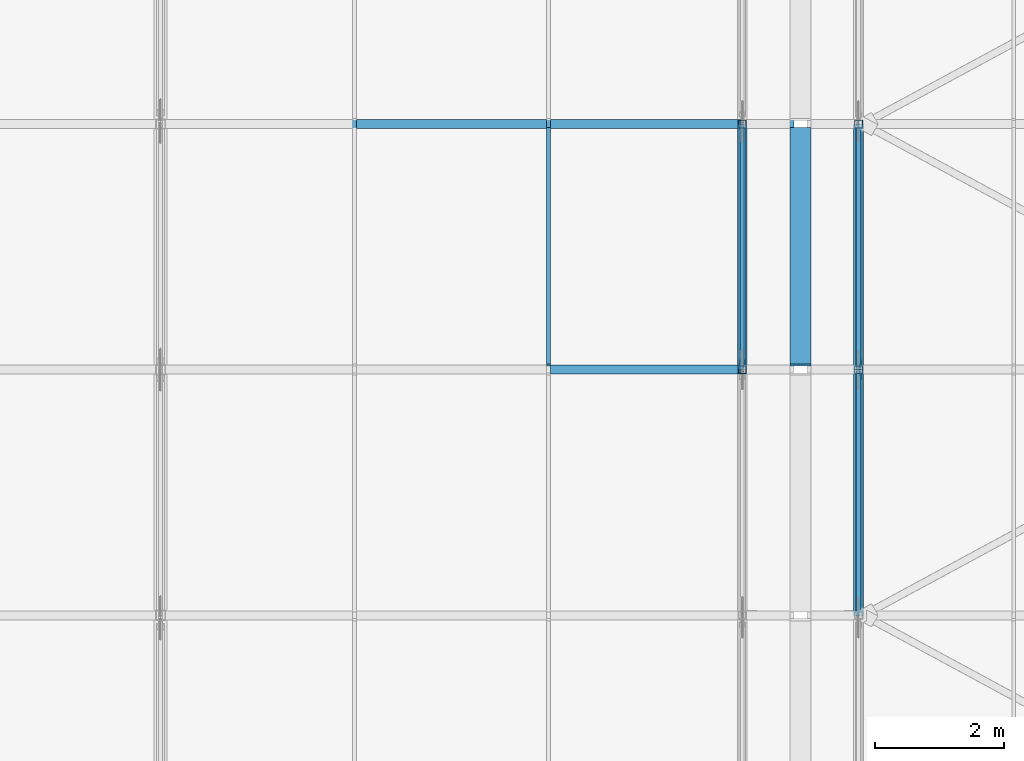
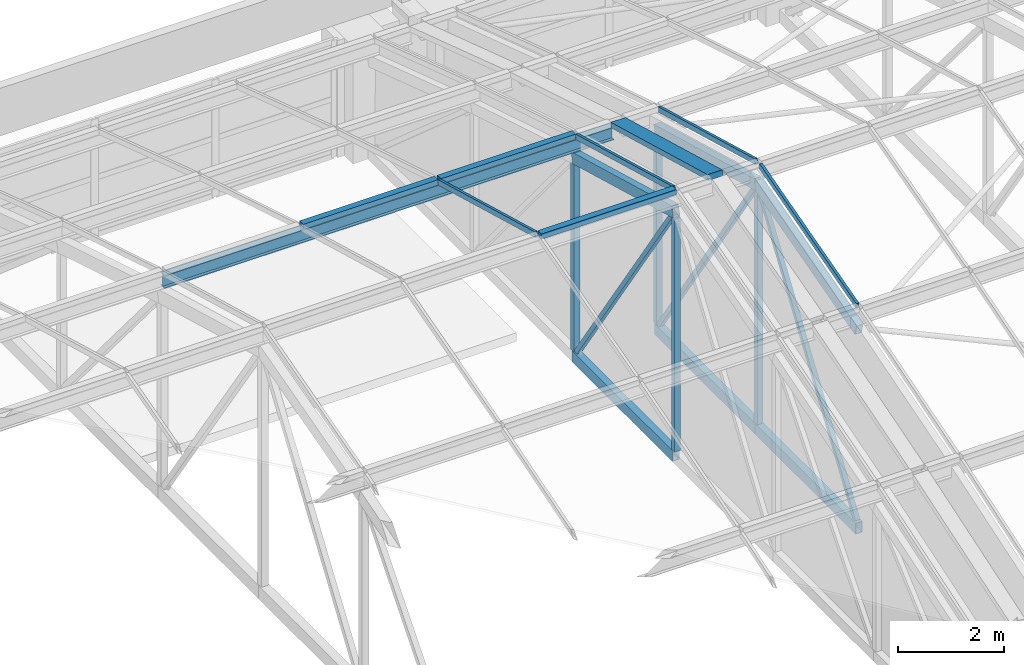
# One storey, part 24 of 82: 22 members, 2 elements without a shape of their own.
"""IFC4 building model written with IfcOpenShell, lengths in metres."""

from ifc_helpers import new_model, si_unit, direction, frame, origin, origin_2d, place, context, subcontext, project, spatial, rectangle, hollow_rectangle, i_section, extrude, material, material_profile, profile_set, type_object, element, aggregate, save


model = new_model("IFC4")

# Units and contexts
model_context = context("Model", 3, precision=1e-05, world=origin(), true_north=direction((0.0, 1.0)))
body_context = subcontext(model_context, "Body", "Model", "MODEL_VIEW")
ifc_project = project(units=[si_unit("LENGTHUNIT", "METRE"), si_unit("AREAUNIT", "SQUARE_METRE"), si_unit("VOLUMEUNIT", "CUBIC_METRE"), si_unit("PLANEANGLEUNIT", "RADIAN"), si_unit("MASSUNIT", "GRAM", prefix="KILO")], contexts=[model_context])

# Site, building, storey
site_placement = place(None, origin())
site = spatial("IfcSite", under=ifc_project, at=site_placement, CompositionType="ELEMENT")
building_placement = place(site_placement, origin())
building = spatial("IfcBuilding", under=site, at=building_placement, Name="Aravalli Gate Trade Fair Centre", CompositionType="ELEMENT")
storey_placement = place(building_placement, frame((0.0, 0.0, 19.199951171875)))
storey = spatial("IfcBuildingStorey", under=building, at=storey_placement, Name="L04", CompositionType="ELEMENT", Elevation=19.199951171875)

# Members
ifc_material_1 = material(Name="Steel E350", Category="steel")
ifc_material_profile_1 = material_profile(ifc_material_1, i_section(OverallWidth=0.139892578125, OverallDepth=0.300048828125, WebThickness=0.0078125, FlangeThickness=0.01318359375, at=origin_2d()), Name="ISMB 300")
ifc_profile_set_1 = profile_set([ifc_material_profile_1], Name="Steel E350")
member_type_1 = type_object("IfcMemberType", Name="ISMB 300 roof purlin", PredefinedType="PURLIN", material=ifc_profile_set_1)
member_1_placement = place(storey_placement, frame((96.0, 124.89990234375, 4.999267578125), z_axis=(1.0, 0.0, 0.0), x_axis=(0.0, 1.0, 0.0)))
element("IfcMember", 1, at=member_1_placement, inside=storey, type_object=member_type_1, Name="Vault purlin 11-12 F4", PredefinedType="PURLIN", context=body_context, shape_type="SweptSolid", body=[
    extrude(i_section(OverallWidth=0.139892578125, OverallDepth=0.300048828125, WebThickness=0.0078125, FlangeThickness=0.01318359375, at=origin_2d()), origin(), (0.0, 0.0, 1.0), 9.800048828125),
])
ifc_material_profile_2 = material_profile(ifc_material_1, hollow_rectangle(XDim=0.14990234375, YDim=0.25, WallThickness=0.010009765625, at=origin_2d()), Name="RHS 250x150x10")
ifc_profile_set_2 = profile_set([ifc_material_profile_2], Name="Steel E350")
member_type_2 = type_object("IfcMemberType", Name="RHS 250x150x10 CT2 truss chord", PredefinedType="CHORD", material=ifc_profile_set_2)
member_2_placement = place(storey_placement, frame((105.0, 121.10009765625, 5.750244140625), z_axis=(0.0, 0.96388962469, -0.266302067988), x_axis=(-1.0, 0.0, 0.0)))
element("IfcMember", 2, at=member_2_placement, inside=storey, type_object=member_type_2, Name="Concourse vault truss CT2 line 12 top chord T4", PredefinedType="CHORD", context=body_context, shape_type="SweptSolid", body=[
    extrude(hollow_rectangle(XDim=0.14990234375, YDim=0.25, WallThickness=0.010009765625, at=origin_2d()), origin(), (0.0, 0.0, 1.0), 3.942138671875),
])
member_3_placement = place(storey_placement, frame((105.0, 121.10009765625, 0.125), z_axis=(0.0, 1.0, 0.0), x_axis=(-1.0, 0.0, 0.0)))
element("IfcMember", 3, at=member_3_placement, inside=storey, type_object=member_type_2, Name="Concourse vault truss CT2 line 12 bottom chord B4", PredefinedType="CHORD", context=body_context, shape_type="SweptSolid", body=[
    extrude(hollow_rectangle(XDim=0.14990234375, YDim=0.25, WallThickness=0.010009765625, at=origin_2d()), origin(), (0.0, 0.0, 1.0), 3.7998046875),
])
member_4_placement = place(storey_placement, frame((106.800048828125, 117.300048828125, 4.700439453125), z_axis=(0.0, 0.963894016224, 0.266286172166), x_axis=(-1.0, 0.0, 0.0)))
element("IfcMember", 4, at=member_4_placement, inside=storey, type_object=member_type_2, Name="Concourse vault truss CT2 line 12A top chord T3", PredefinedType="CHORD", context=body_context, shape_type="SweptSolid", body=[
    extrude(hollow_rectangle(XDim=0.14990234375, YDim=0.25, WallThickness=0.010009765625, at=origin_2d()), origin(), (0.0, 0.0, 1.0), 3.9423828125),
])
member_5_placement = place(storey_placement, frame((106.800048828125, 117.300048828125, 0.125), z_axis=(0.0, 1.0, 0.0), x_axis=(-1.0, 0.0, 0.0)))
element("IfcMember", 5, at=member_5_placement, inside=storey, type_object=member_type_2, Name="Concourse vault truss CT2 line 12A bottom chord B3", PredefinedType="CHORD", context=body_context, shape_type="SweptSolid", body=[
    extrude(hollow_rectangle(XDim=0.14990234375, YDim=0.25, WallThickness=0.010009765625, at=origin_2d()), origin(), (0.0, 0.0, 1.0), 3.800048828125),
])
member_6_placement = place(storey_placement, frame((106.800048828125, 121.10009765625, 5.750244140625), z_axis=(0.0, 0.96388962469, -0.266302067988), x_axis=(-1.0, 0.0, 0.0)))
element("IfcMember", 6, at=member_6_placement, inside=storey, type_object=member_type_2, Name="Concourse vault truss CT2 line 12A top chord T4", PredefinedType="CHORD", context=body_context, shape_type="SweptSolid", body=[
    extrude(hollow_rectangle(XDim=0.14990234375, YDim=0.25, WallThickness=0.010009765625, at=origin_2d()), origin(), (0.0, 0.0, 1.0), 3.942138671875),
])
member_7_placement = place(storey_placement, frame((106.800048828125, 121.10009765625, 0.125), z_axis=(0.0, 1.0, 0.0), x_axis=(-1.0, 0.0, 0.0)))
element("IfcMember", 7, at=member_7_placement, inside=storey, type_object=member_type_2, Name="Concourse vault truss CT2 line 12A bottom chord B4", PredefinedType="CHORD", context=body_context, shape_type="SweptSolid", body=[
    extrude(hollow_rectangle(XDim=0.14990234375, YDim=0.25, WallThickness=0.010009765625, at=origin_2d()), origin(), (0.0, 0.0, 1.0), 3.7998046875),
])
ifc_material_profile_3 = material_profile(ifc_material_1, hollow_rectangle(XDim=0.10009765625, YDim=0.10009765625, WallThickness=0.006103515625, at=origin_2d()), Name="SHS 100x100x6")
ifc_profile_set_3 = profile_set([ifc_material_profile_3], Name="Steel E350")
member_type_3 = type_object("IfcMemberType", Name="SHS 100x100x6 CT2 truss diagonal", PredefinedType="BRACE", material=ifc_profile_set_3)
member_8_placement = place(storey_placement, frame((105.0, 121.207763671875, 5.591064453125), z_axis=(0.0, 0.55975971126, -0.828654973828), x_axis=(-1.0, 0.0, 0.0)))
element("IfcMember", 8, at=member_8_placement, inside=storey, type_object=member_type_3, Name="Concourse vault truss CT2 line 12 diagonal D4", PredefinedType="BRACE", context=body_context, shape_type="SweptSolid", body=[
    extrude(hollow_rectangle(XDim=0.10009765625, YDim=0.10009765625, WallThickness=0.006103515625, at=origin_2d()), origin(), (0.0, 0.0, 1.0), 6.445556640625),
])
member_9_placement = place(storey_placement, frame((106.800048828125, 117.384521484375, 0.25), z_axis=(0.0, 0.559733700846, 0.828672543371), x_axis=(-1.0, 0.0, 0.0)))
element("IfcMember", 9, at=member_9_placement, inside=storey, type_object=member_type_3, Name="Concourse vault truss CT2 line 12A diagonal D3", PredefinedType="BRACE", context=body_context, shape_type="SweptSolid", body=[
    extrude(hollow_rectangle(XDim=0.10009765625, YDim=0.10009765625, WallThickness=0.006103515625, at=origin_2d()), origin(), (0.0, 0.0, 1.0), 6.4453125),
])
member_10_placement = place(storey_placement, frame((106.800048828125, 121.207763671875, 5.591064453125), z_axis=(0.0, 0.55975971126, -0.828654973828), x_axis=(-1.0, 0.0, 0.0)))
element("IfcMember", 10, at=member_10_placement, inside=storey, type_object=member_type_3, Name="Concourse vault truss CT2 line 12A diagonal D4", PredefinedType="BRACE", context=body_context, shape_type="SweptSolid", body=[
    extrude(hollow_rectangle(XDim=0.10009765625, YDim=0.10009765625, WallThickness=0.006103515625, at=origin_2d()), origin(), (0.0, 0.0, 1.0), 6.445556640625),
])
ifc_material_profile_4 = material_profile(ifc_material_1, hollow_rectangle(XDim=0.125, YDim=0.125, WallThickness=0.006103515625, at=origin_2d()), Name="SHS 125x125x6")
ifc_profile_set_4 = profile_set([ifc_material_profile_4], Name="Steel E350")
member_type_4 = type_object("IfcMemberType", Name="SHS 125x125x6 CT2 truss post", PredefinedType="POST", material=ifc_profile_set_4)
member_11_placement = place(storey_placement, frame((105.0, 121.10009765625, 0.25), z_axis=(0.0, 0.0, 1.0), x_axis=(1.0, 0.0, 0.0)))
element("IfcMember", 11, at=member_11_placement, inside=storey, type_object=member_type_4, Name="Concourse vault truss CT2 line 12 post V3", PredefinedType="POST", context=body_context, shape_type="SweptSolid", body=[
    extrude(hollow_rectangle(XDim=0.125, YDim=0.125, WallThickness=0.006103515625, at=origin_2d()), origin(), (0.0, 0.0, 1.0), 5.37060546875),
])
member_12_placement = place(storey_placement, frame((105.0, 124.89990234375, 0.25), z_axis=(0.0, 0.0, 1.0), x_axis=(1.0, 0.0, 0.0)))
element("IfcMember", 12, at=member_12_placement, inside=storey, type_object=member_type_4, Name="Concourse vault truss CT2 line 12 post V4", PredefinedType="POST", context=body_context, shape_type="SweptSolid", body=[
    extrude(hollow_rectangle(XDim=0.125, YDim=0.125, WallThickness=0.006103515625, at=origin_2d()), origin(), (0.0, 0.0, 1.0), 4.31884765625),
])
member_13_placement = place(storey_placement, frame((106.800048828125, 121.10009765625, 0.25), z_axis=(0.0, 0.0, 1.0), x_axis=(1.0, 0.0, 0.0)))
element("IfcMember", 13, at=member_13_placement, inside=storey, type_object=member_type_4, Name="Concourse vault truss CT2 line 12A post V3", PredefinedType="POST", context=body_context, shape_type="SweptSolid", body=[
    extrude(hollow_rectangle(XDim=0.125, YDim=0.125, WallThickness=0.006103515625, at=origin_2d()), origin(), (0.0, 0.0, 1.0), 5.37060546875),
])
member_14_placement = place(storey_placement, frame((106.800048828125, 124.89990234375, 0.25), z_axis=(0.0, 0.0, 1.0), x_axis=(1.0, 0.0, 0.0)))
element("IfcMember", 14, at=member_14_placement, inside=storey, type_object=member_type_4, Name="Concourse vault truss CT2 line 12A post V4", PredefinedType="POST", context=body_context, shape_type="SweptSolid", body=[
    extrude(hollow_rectangle(XDim=0.125, YDim=0.125, WallThickness=0.006103515625, at=origin_2d()), origin(), (0.0, 0.0, 1.0), 4.31884765625),
])
ifc_material_2 = material(Name="Aluminium", Category="aluminium")
ifc_material_profile_5 = material_profile(ifc_material_2, rectangle(XDim=0.139892578125, YDim=0.1201171875, at=origin_2d()), Name="Vault fold cap 140 x 120")
ifc_profile_set_5 = profile_set([ifc_material_profile_5], Name="Aluminium")
member_type_5 = type_object("IfcMemberType", Name="Vault fold cap 140 x 120", PredefinedType="USERDEFINED", material=ifc_profile_set_5)
for number, where, z_axis, x_axis, name in (
    (15, (99.030029296875, 124.89990234375, 5.209228515625), (1.0, 0.0, 0.0), (0.0, 1.0, 0.0), "Vault fold cap w29.4"),
    (16, (102.030029296875, 121.10009765625, 6.239990234375), (1.0, 0.0, 0.0), (0.0, 1.0, 0.0), "Vault fold cap w30.3"),
    (17, (102.030029296875, 124.89990234375, 5.209228515625), (1.0, 0.0, 0.0), (0.0, 1.0, 0.0), "Vault fold cap w30.4"),
):
    element("IfcMember", number, at=place(storey_placement, frame(where, z_axis=z_axis, x_axis=x_axis)), inside=storey, type_object=member_type_5, Name=name, ObjectType="FOLD CAP", PredefinedType="USERDEFINED", context=body_context, shape_type="SweptSolid", body=[
        extrude(rectangle(XDim=0.139892578125, YDim=0.1201171875, at=origin_2d()), origin(), (0.0, 0.0, 1.0), 2.93994140625),
    ])

# Curtain wall, members
ifc_material_3 = material(Name="Aluminium and glass", Category="aluminium")
curtain_wall_type = type_object("IfcCurtainWallType", Name="Vault curtain wall, sloped glazing", PredefinedType="NOTDEFINED", material=ifc_material_3)
curtain_wall_1_placement = place(storey_placement, origin())
curtain_wall_1 = element("IfcCurtainWall", 18, at=curtain_wall_1_placement, inside=storey, type_object=curtain_wall_type, Name="Vault curtain wall w", PredefinedType="NOTDEFINED")
ifc_material_profile_6 = material_profile(ifc_material_2, rectangle(XDim=0.06005859375, YDim=0.1201171875, at=origin_2d()), Name="Vault glazing bar 60 x 120")
ifc_profile_set_6 = profile_set([ifc_material_profile_6], Name="Aluminium")
member_type_6 = type_object("IfcMemberType", Name="Vault glazing bar 60 x 120", PredefinedType="USERDEFINED", material=ifc_profile_set_6)
member_15_placement = place(storey_placement, frame((102.0, 121.169921875, 6.218505859375), z_axis=(0.0, 0.963872602318, -0.266363673386), x_axis=(-1.0, 0.0, 0.0)))
member_15 = element("IfcMember", 19, at=member_15_placement, type_object=member_type_6, Name="Vault glazing bar w30.4", ObjectType="GLAZING BAR", PredefinedType="USERDEFINED", context=body_context, shape_type="SweptSolid", body=[
    extrude(rectangle(XDim=0.06005859375, YDim=0.1201171875, at=origin_2d()), origin(), (0.0, 0.0, 1.0), 3.79736328125),
])
member_16_placement = place(storey_placement, frame((105.0, 121.169921875, 6.218505859375), z_axis=(0.0, 0.963872602318, -0.266363673386), x_axis=(-1.0, 0.0, 0.0)))
member_16 = element("IfcMember", 20, at=member_16_placement, type_object=member_type_6, Name="Vault glazing bar w31.4", ObjectType="GLAZING BAR", PredefinedType="USERDEFINED", context=body_context, shape_type="SweptSolid", body=[
    extrude(rectangle(XDim=0.06005859375, YDim=0.1201171875, at=origin_2d()), origin(), (0.0, 0.0, 1.0), 3.79736328125),
])

curtain_wall_2_placement = place(storey_placement, origin())
curtain_wall_2 = element("IfcCurtainWall", 21, at=curtain_wall_2_placement, inside=storey, type_object=curtain_wall_type, Name="Vault curtain wall e", PredefinedType="NOTDEFINED")
member_17_placement = place(storey_placement, frame((106.800048828125, 117.3701171875, 5.20703125), z_axis=(0.0, 0.96386804037, 0.266380180859), x_axis=(-1.0, 0.0, 0.0)))
member_17 = element("IfcMember", 22, at=member_17_placement, type_object=member_type_6, Name="Vault glazing bar e2.3", ObjectType="GLAZING BAR", PredefinedType="USERDEFINED", context=body_context, shape_type="SweptSolid", body=[
    extrude(rectangle(XDim=0.06005859375, YDim=0.1201171875, at=origin_2d()), origin(), (0.0, 0.0, 1.0), 3.797119140625),
])
member_18_placement = place(storey_placement, frame((106.800048828125, 121.169921875, 6.218505859375), z_axis=(0.0, 0.963872602318, -0.266363673386), x_axis=(-1.0, 0.0, 0.0)))
member_18 = element("IfcMember", 23, at=member_18_placement, type_object=member_type_6, Name="Vault glazing bar e2.4", ObjectType="GLAZING BAR", PredefinedType="USERDEFINED", context=body_context, shape_type="SweptSolid", body=[
    extrude(rectangle(XDim=0.06005859375, YDim=0.1201171875, at=origin_2d()), origin(), (0.0, 0.0, 1.0), 3.79736328125),
])
aggregate(curtain_wall_2, [member_17, member_18])

# Member
ifc_material_profile_7 = material_profile(ifc_material_2, rectangle(XDim=0.320068359375, YDim=0.1201171875, at=origin_2d()), Name="Vault joint cover bar 320 x 120")
ifc_profile_set_7 = profile_set([ifc_material_profile_7], Name="Aluminium")
member_type_7 = type_object("IfcMemberType", Name="Vault joint cover bar 320 x 120", PredefinedType="USERDEFINED", material=ifc_profile_set_7)
member_19_placement = place(storey_placement, frame((105.89990234375, 121.169921875, 6.218505859375), z_axis=(0.0, 0.963872602318, -0.266363673386), x_axis=(-1.0, 0.0, 0.0)))
member_19 = element("IfcMember", 24, at=member_19_placement, type_object=member_type_7, Name="Vault joint cover bar J2.4", ObjectType="GLAZING BAR", PredefinedType="USERDEFINED", context=body_context, shape_type="SweptSolid", body=[
    extrude(rectangle(XDim=0.320068359375, YDim=0.1201171875, at=origin_2d()), origin(), (0.0, 0.0, 1.0), 3.79736328125),
])

aggregate(curtain_wall_1, [member_15, member_16, member_19])

save(model, "model.ifc")
